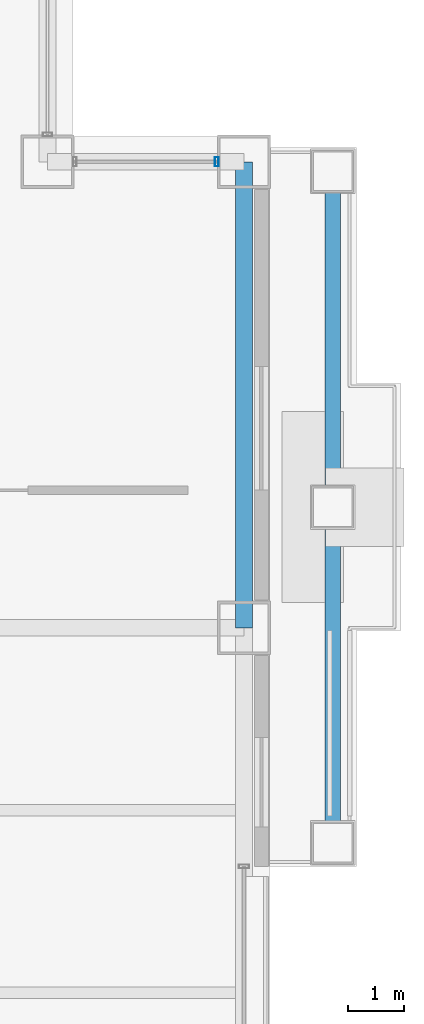
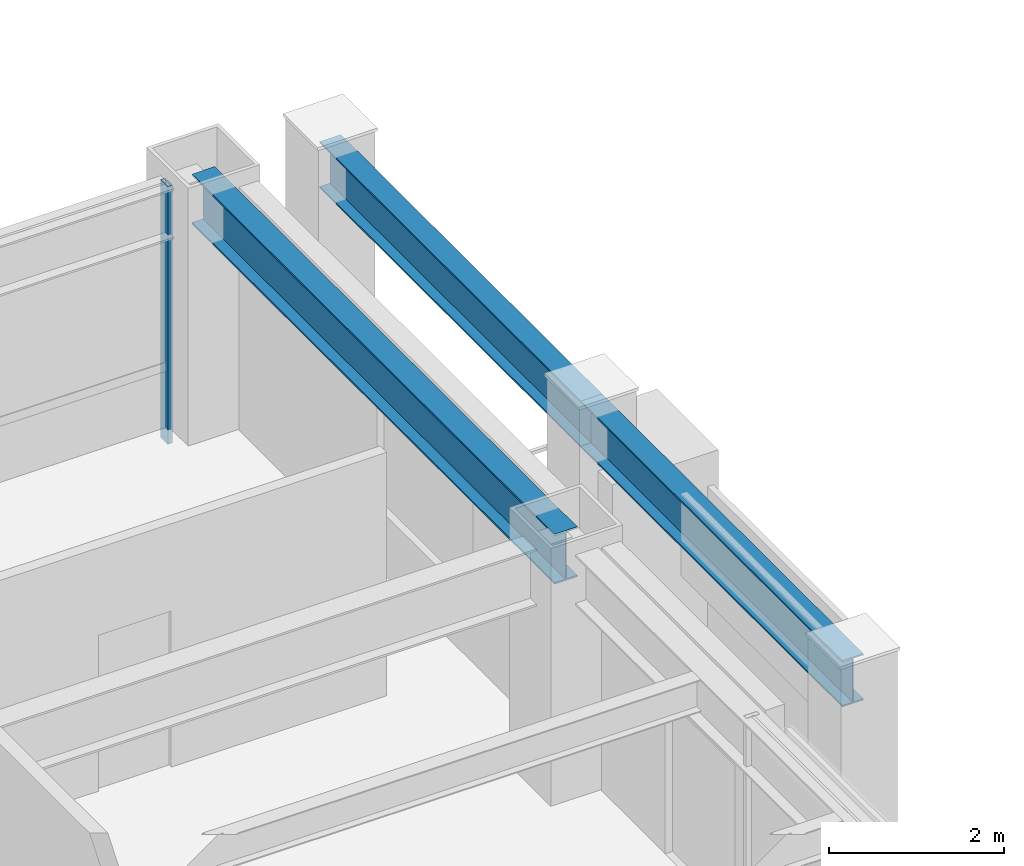
# One storey, part 23 of 31: 3 beams, 1 member, 1 element without a shape of its own.
"""IFC4 building model written with IfcOpenShell, lengths in metres."""

from ifc_helpers import new_model, si_unit, direction, frame, origin, origin_2d, place, context, subcontext, project, spatial, hollow_rectangle, i_section, extrude, material, layer, layer_set, material_profile, profile_set, type_object, element, aggregate, save


model = new_model("IFC4")

# Units and contexts
model_context = context("Model", 3, precision=1e-05, world=origin(), true_north=direction((0.0, 1.0)))
body_context = subcontext(model_context, "Body", "Model", "MODEL_VIEW")
ifc_project = project(units=[si_unit("LENGTHUNIT", "METRE"), si_unit("AREAUNIT", "SQUARE_METRE"), si_unit("VOLUMEUNIT", "CUBIC_METRE"), si_unit("PLANEANGLEUNIT", "RADIAN"), si_unit("MASSUNIT", "GRAM", prefix="KILO")], contexts=[model_context])

# Site, building, storey
site_placement = place(None, origin())
site = spatial("IfcSite", under=ifc_project, at=site_placement, CompositionType="ELEMENT")
building_placement = place(site_placement, origin())
building = spatial("IfcBuilding", under=site, at=building_placement, Name="Brelmoor Portico Tower", CompositionType="ELEMENT")
storey_placement = place(building_placement, frame((0.0, 0.0, 27.60009765625)))
storey = spatial("IfcBuildingStorey", under=building, at=storey_placement, Name="L06", CompositionType="ELEMENT", Elevation=27.60009765625)

# Beams
ifc_material_1 = material(Name="Steel Q355B", Category="steel")
ifc_material_profile_1 = material_profile(ifc_material_1, i_section(OverallWidth=0.280029296875, OverallDepth=0.64990234375, WebThickness=0.012939453125, FlangeThickness=0.02197265625, at=origin_2d()), Name="HN 650x280x13x22")
ifc_profile_set_1 = profile_set([ifc_material_profile_1], Name="Steel Q355B")
beam_type_1 = type_object("IfcBeamType", Name="BM-SP-650", PredefinedType="SPANDREL", material=ifc_profile_set_1)
for number, where, z_axis, x_axis, name in (
    (1, (26.1298828125, 5.919921875, 3.074951171875), (0.0, 1.0, 0.0), (-1.0, 0.0, 0.0), "L06 Picture-Frame Perimeter Lintel Beam E1"),
    (2, (26.1298828125, 11.89990234375, 3.074951171875), (0.0, 1.0, 0.0), (-1.0, 0.0, 0.0), "L06 Picture-Frame Perimeter Lintel Beam E2"),
):
    element("IfcBeam", number, at=place(storey_placement, frame(where, z_axis=z_axis, x_axis=x_axis)), inside=storey, type_object=beam_type_1, Name=name, PredefinedType="SPANDREL", context=body_context, shape_type="SweptSolid", body=[
        extrude(i_section(OverallWidth=0.280029296875, OverallDepth=0.64990234375, WebThickness=0.012939453125, FlangeThickness=0.02197265625, at=origin_2d()), origin(), (0.0, 0.0, 1.0), 5.97998046875),
    ])
ifc_material_profile_2 = material_profile(ifc_material_1, i_section(OverallWidth=0.300048828125, OverallDepth=0.699951171875, WebThickness=0.012939453125, FlangeThickness=0.02392578125, at=origin_2d()), Name="HN 700x300x13x24")
ifc_profile_set_2 = profile_set([ifc_material_profile_2], Name="Steel Q355B")
beam_type_2 = type_object("IfcBeamType", Name="BM-SP-700", PredefinedType="SPANDREL", material=ifc_profile_set_2)
beam_placement = place(storey_placement, frame((24.550048828125, 9.75, 3.0498046875), z_axis=(0.0, 1.0, 0.0), x_axis=(-1.0, 0.0, 0.0)))
element("IfcBeam", 3, at=beam_placement, inside=storey, type_object=beam_type_2, Name="L06 Perimeter Spandrel Beam SP-24", PredefinedType="SPANDREL", context=body_context, shape_type="SweptSolid", body=[
    extrude(i_section(OverallWidth=0.300048828125, OverallDepth=0.699951171875, WebThickness=0.012939453125, FlangeThickness=0.02392578125, at=origin_2d()), origin(), (0.0, 0.0, 1.0), 8.300048828125),
])

# Curtain wall, member
ifc_material_2 = material(Name="Anodised Aluminium Alloy 6063-T6", Category="aluminium")
ifc_layer = layer(ifc_material_2, 0.179931640625)
ifc_layer_set = layer_set([ifc_layer], Name="Anodised Aluminium Alloy 6063-T6")
curtain_wall_type = type_object("IfcCurtainWallType", Name="CW-NOTCH-CHAMFER", PredefinedType="NOTDEFINED", material=ifc_layer_set)
curtain_wall_placement = place(storey_placement, origin())
curtain_wall = element("IfcCurtainWall", 4, at=curtain_wall_placement, inside=storey, type_object=curtain_wall_type, Name="L06 Curtain Wall CWN-L06-NEH", PredefinedType="NOTDEFINED")
ifc_material_profile_3 = material_profile(ifc_material_2, hollow_rectangle(XDim=0.06494140625, YDim=0.1650390625, WallThickness=0.00390625, at=origin_2d()), Name="ALU MULLION 65x165")
ifc_profile_set_3 = profile_set([ifc_material_profile_3], Name="Anodised Aluminium Alloy 6063-T6")
member_type = type_object("IfcMemberType", Name="MB-CW-MULL-165", PredefinedType="MULLION", material=ifc_profile_set_3)
member_placement = place(storey_placement, frame((24.06494140625, 18.050048828125, -0.2001953125), z_axis=(0.0, 0.0, 1.0), x_axis=(1.0, 0.0, 0.0)))
member = element("IfcMember", 5, at=member_placement, type_object=member_type, Name="CWN-L06-NEH Mullion 01", PredefinedType="MULLION", context=body_context, shape_type="SweptSolid", body=[
    extrude(hollow_rectangle(XDim=0.06494140625, YDim=0.1650390625, WallThickness=0.00390625, at=origin_2d()), origin(), (0.0, 0.0, 1.0), 3.60009765625),
])
aggregate(curtain_wall, [member])

save(model, "model.ifc")
